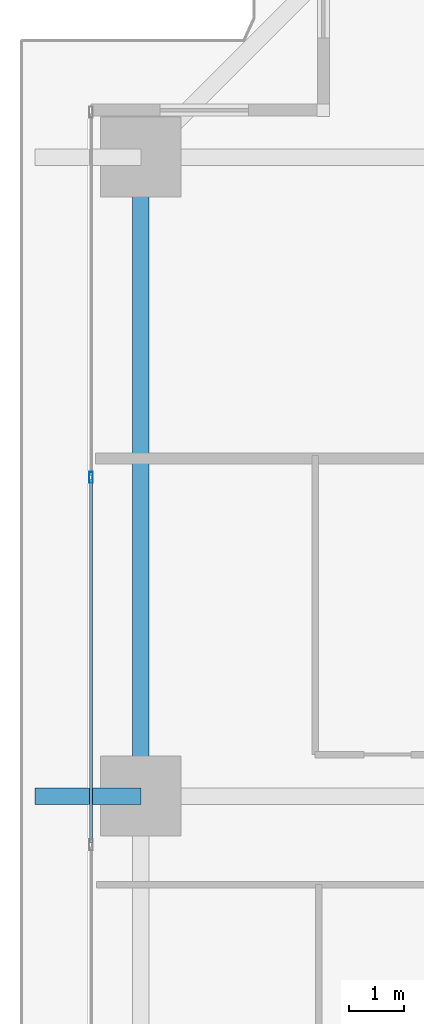
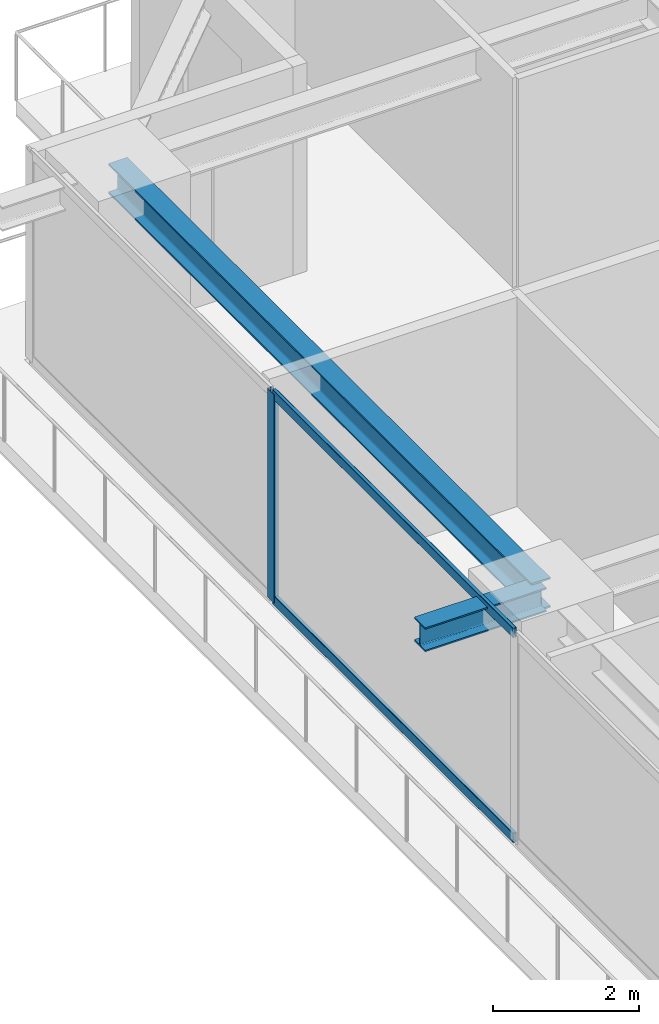
# One storey, part 16 of 39: 3 members, 2 beams, 1 element without a shape of its own.
"""IFC4 building model written with IfcOpenShell, lengths in metres."""

from ifc_helpers import new_model, si_unit, direction, frame, origin, origin_2d, place, context, subcontext, project, spatial, hollow_rectangle, i_section, extrude, source, transform, mapped, material, layer, layer_set, material_profile, profile_set, type_object, element, aggregate, save


model = new_model("IFC4")

# Units and contexts
model_context = context("Model", 3, precision=1e-05, world=origin(), true_north=direction((0.0, 1.0)))
body_context = subcontext(model_context, "Body", "Model", "MODEL_VIEW")
ifc_project = project(units=[si_unit("LENGTHUNIT", "METRE"), si_unit("AREAUNIT", "SQUARE_METRE"), si_unit("VOLUMEUNIT", "CUBIC_METRE"), si_unit("PLANEANGLEUNIT", "RADIAN"), si_unit("MASSUNIT", "GRAM", prefix="KILO")], contexts=[model_context])

# Site, building, storey
site_placement = place(None, origin())
site = spatial("IfcSite", under=ifc_project, at=site_placement, CompositionType="ELEMENT")
building_placement = place(site_placement, origin())
building = spatial("IfcBuilding", under=site, at=building_placement, Name="Serunith Strait Residences", CompositionType="ELEMENT")
storey_placement = place(building_placement, frame((0.0, 0.0, 94.199951171875)))
storey = spatial("IfcBuildingStorey", under=building, at=storey_placement, Name="L23", CompositionType="ELEMENT", Elevation=94.199951171875)

# Beams
ifc_material_1 = material(Name="Steel S355J2", Category="steel")
ifc_material_profile_1 = material_profile(ifc_material_1, i_section(OverallWidth=0.300048828125, OverallDepth=0.5, WebThickness=0.014404296875, FlangeThickness=0.028076171875, FilletRadius=0.027099609375, at=origin_2d()), Name="HEB 500")
ifc_profile_set_1 = profile_set([ifc_material_profile_1], Name="Steel S355J2")
beam_type_1 = type_object("IfcBeamType", Name="BM-HEB500", PredefinedType="BEAM", material=ifc_profile_set_1)
shared_shape_1 = source(origin(), body_context, "Body", "SweptSolid", [
    extrude(i_section(OverallWidth=0.300048828125, OverallDepth=0.5, WebThickness=0.014404296875, FlangeThickness=0.028076171875, FilletRadius=0.027099609375, at=origin_2d()), origin(), (0.0, 0.0, 1.0), 11.550048828125),
])
beam_1_placement = place(storey_placement, frame((6.89990234375, 40.949951171875, 3.237060546875), z_axis=(0.0, -1.0, 0.0), x_axis=(1.0, 0.0, 0.0)))
element("IfcBeam", 1, at=beam_1_placement, inside=storey, type_object=beam_type_1, Name="L23 Perimeter Ring Beam 13", PredefinedType="BEAM", context=body_context, shape_type="MappedRepresentation", body=[
    mapped(shared_shape_1, transform((0.0, 0.0, 0.0), scale=1.0)),
])
ifc_material_profile_2 = material_profile(ifc_material_1, i_section(OverallWidth=0.300048828125, OverallDepth=0.39990234375, WebThickness=0.013427734375, FlangeThickness=0.02392578125, FilletRadius=0.027099609375, at=origin_2d()), Name="HEB 400")
ifc_profile_set_2 = profile_set([ifc_material_profile_2], Name="Steel S355J2")
beam_type_2 = type_object("IfcBeamType", Name="BM-HEB400", PredefinedType="BEAM", material=ifc_profile_set_2)
shared_shape_2 = source(origin(), body_context, "Body", "SweptSolid", [
    extrude(i_section(OverallWidth=0.300048828125, OverallDepth=0.39990234375, WebThickness=0.013427734375, FlangeThickness=0.02392578125, FilletRadius=0.027099609375, at=origin_2d()), origin(), (0.0, 0.0, 1.0), 1.909912109375),
])
beam_2_placement = place(storey_placement, frame((6.89990234375, 29.39990234375, 3.257080078125), z_axis=(-1.0, 0.0, 0.0), x_axis=(0.0, -1.0, 0.0)))
element("IfcBeam", 2, at=beam_2_placement, inside=storey, type_object=beam_type_2, Name="L24 Cantilevered Balcony Rib TC-W3", PredefinedType="BEAM", context=body_context, shape_type="MappedRepresentation", body=[
    mapped(shared_shape_2, transform((0.0, 0.0, 0.0), scale=1.0)),
])

# Curtain wall, members
ifc_material_2 = material(Name="Pale-Champagne Anodised Aluminium", Category="aluminium")
ifc_layer = layer(ifc_material_2, 0.199951171875, Name="Pale-Champagne Anodised Aluminium")
ifc_layer_set = layer_set([ifc_layer], Name="Pale-Champagne Anodised Aluminium")
curtain_wall_type = type_object("IfcCurtainWallType", Name="CW-SYS1", PredefinedType="NOTDEFINED", material=ifc_layer_set)
curtain_wall_placement = place(storey_placement, origin())
curtain_wall = element("IfcCurtainWall", 3, at=curtain_wall_placement, inside=storey, type_object=curtain_wall_type, Name="L23 W Unitised Fritted Curtain Wall", PredefinedType="NOTDEFINED")
ifc_material_profile_3 = material_profile(ifc_material_2, hollow_rectangle(XDim=0.070068359375, YDim=0.199951171875, WallThickness=0.00390625, InnerFilletRadius=0.006103515625, OuterFilletRadius=0.010009765625, at=origin_2d()), Name="ALU 200x70x4")
ifc_profile_set_3 = profile_set([ifc_material_profile_3], Name="Pale-Champagne Anodised Aluminium")
member_type_1 = type_object("IfcMemberType", Name="CW-SYS1-MULL", PredefinedType="MULLION", material=ifc_profile_set_3)
shared_shape_3 = source(origin(), body_context, "Body", "SweptSolid", [
    extrude(hollow_rectangle(XDim=0.070068359375, YDim=0.199951171875, WallThickness=0.00390625, InnerFilletRadius=0.006103515625, OuterFilletRadius=0.010009765625, at=origin_2d()), origin(), (0.0, 0.0, 1.0), 3.47509765625),
])
member_1_placement = place(storey_placement, frame((6.0, 35.159912109375, 0.0), z_axis=(0.0, 0.0, 1.0), x_axis=(1.0, 0.0, 0.0)))
member_1 = element("IfcMember", 4, at=member_1_placement, type_object=member_type_1, Name="CW-1 mullion 2", PredefinedType="MULLION", context=body_context, shape_type="MappedRepresentation", body=[
    mapped(shared_shape_3, transform((0.0, 0.0, 0.0), scale=1.0)),
])
ifc_material_profile_4 = material_profile(ifc_material_2, hollow_rectangle(XDim=0.06005859375, YDim=0.159912109375, WallThickness=0.00341796875, InnerFilletRadius=0.00537109375, OuterFilletRadius=0.0087890625, at=origin_2d()), Name="ALU 160x60x3.5")
ifc_profile_set_4 = profile_set([ifc_material_profile_4], Name="Pale-Champagne Anodised Aluminium")
member_type_2 = type_object("IfcMemberType", Name="CW-SYS1-TRAN", PredefinedType="USERDEFINED", material=ifc_profile_set_4)
shared_shape_4 = source(origin(), body_context, "Body", "SweptSolid", [
    extrude(hollow_rectangle(XDim=0.06005859375, YDim=0.159912109375, WallThickness=0.00341796875, InnerFilletRadius=0.00537109375, OuterFilletRadius=0.0087890625, at=origin_2d()), origin(), (0.0, 0.0, 1.0), 6.570068359375),
])
member_2_placement = place(storey_placement, frame((6.0, 35.125, 0.030029296875), z_axis=(0.0, -1.0, 0.0), x_axis=(1.0, 0.0, 0.0)))
member_2 = element("IfcMember", 5, at=member_2_placement, type_object=member_type_2, Name="CW-1 transom 2.1", ObjectType="TRANSOM", PredefinedType="USERDEFINED", context=body_context, shape_type="MappedRepresentation", body=[
    mapped(shared_shape_4, transform((0.0, 0.0, 0.0), scale=1.0)),
])
member_3_placement = place(storey_placement, frame((6.0, 35.125, 3.445068359375), z_axis=(0.0, -1.0, 0.0), x_axis=(1.0, 0.0, 0.0)))
member_3 = element("IfcMember", 6, at=member_3_placement, type_object=member_type_2, Name="CW-1 transom 2.2", ObjectType="TRANSOM", PredefinedType="USERDEFINED", context=body_context, shape_type="MappedRepresentation", body=[
    mapped(shared_shape_4, transform((0.0, 0.0, 0.0), scale=1.0)),
])
aggregate(curtain_wall, [member_1, member_2, member_3])

save(model, "model.ifc")
